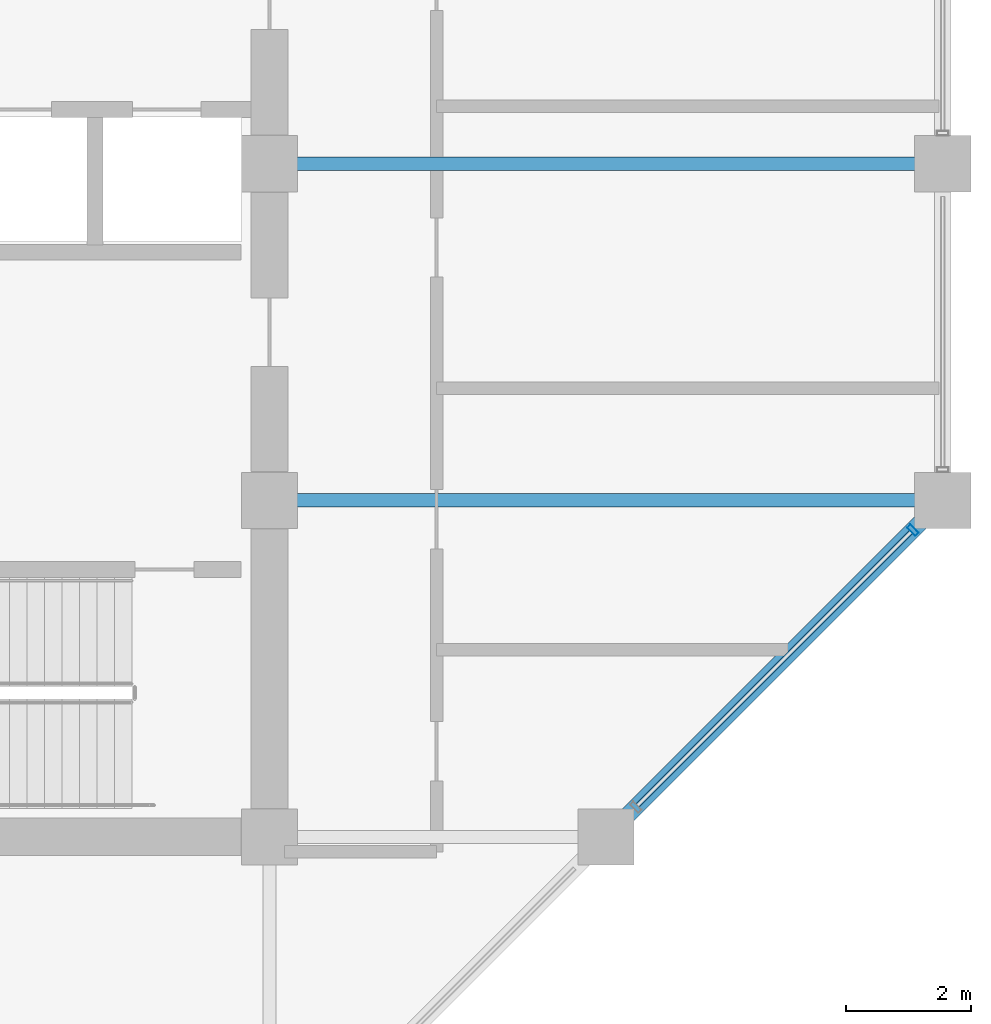
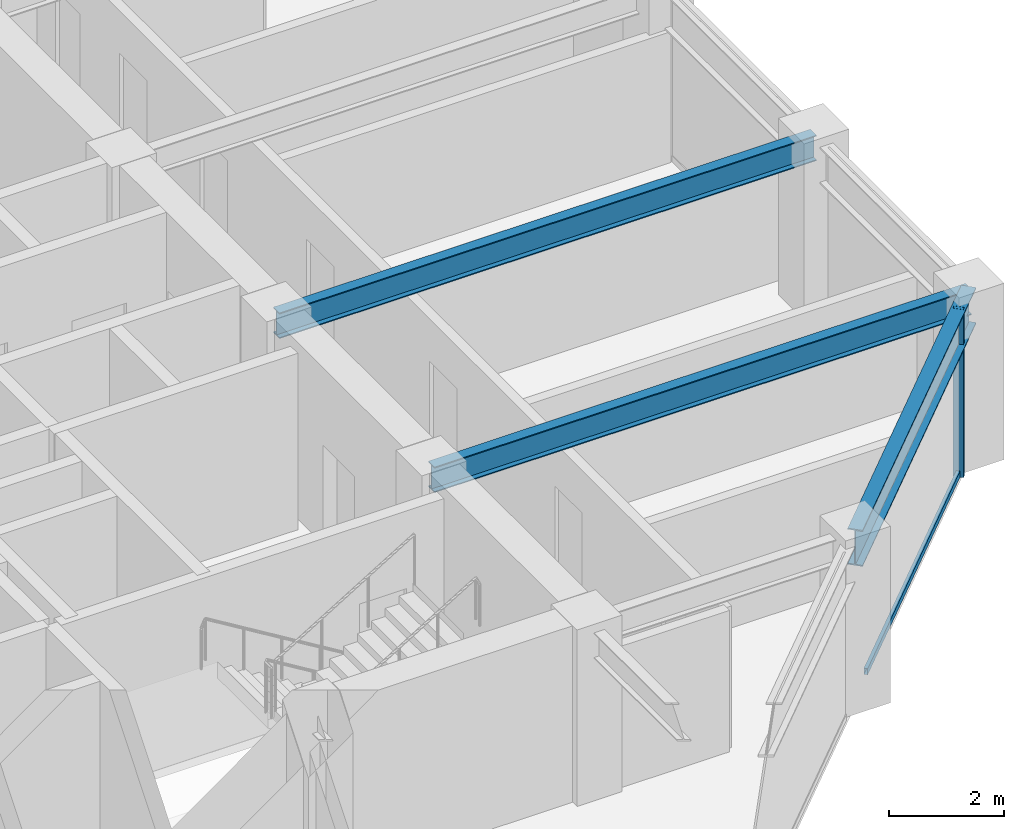
# One storey, part 13 of 32: 3 beams, 2 members, 1 element without a shape of its own.
"""IFC4 building model written with IfcOpenShell, lengths in metres."""

from ifc_helpers import new_model, si_unit, direction, frame, origin, origin_2d, place, context, subcontext, project, spatial, hollow_rectangle, i_section, extrude, material, layer, layer_set, material_profile, profile_set, type_object, element, aggregate, save


model = new_model("IFC4")

# Units and contexts
model_context = context("Model", 3, precision=1e-05, world=origin(), true_north=direction((0.0, 1.0)))
body_context = subcontext(model_context, "Body", "Model", "MODEL_VIEW")
ifc_project = project(units=[si_unit("LENGTHUNIT", "METRE"), si_unit("AREAUNIT", "SQUARE_METRE"), si_unit("VOLUMEUNIT", "CUBIC_METRE"), si_unit("PLANEANGLEUNIT", "RADIAN"), si_unit("MASSUNIT", "GRAM", prefix="KILO")], contexts=[model_context])

# Site, building, storey
site_placement = place(None, origin())
site = spatial("IfcSite", under=ifc_project, at=site_placement, CompositionType="ELEMENT")
building_placement = place(site_placement, origin())
building = spatial("IfcBuilding", under=site, at=building_placement, Name="Surkhivell Harbour Commons", CompositionType="ELEMENT")
storey_placement = place(building_placement, frame((0.0, 0.0, 212.25)))
storey = spatial("IfcBuildingStorey", under=building, at=storey_placement, Name="L55", CompositionType="ELEMENT", Elevation=212.25)

# Beams
ifc_material_1 = material(Name="Steel S355", Category="steel")
ifc_material_profile_1 = material_profile(ifc_material_1, i_section(OverallWidth=0.2119140625, OverallDepth=0.5439453125, WebThickness=0.0126953125, FlangeThickness=0.021240234375, at=origin_2d()), Name="UB533x210x122")
ifc_profile_set_1 = profile_set([ifc_material_profile_1], Name="Steel S355")
beam_type_1 = type_object("IfcBeamType", Name="BM-GRD-533A", PredefinedType="BEAM", material=ifc_profile_set_1)
for number, where, z_axis, x_axis, name in (
    (1, (10.800048828125, -5.39990234375, 3.298095703125), (1.0, 0.0, 0.0), (0.0, 1.0, 0.0), "L55 Floor Girder (10.8,-5.4)"),
    (2, (10.800048828125, 0.0, 3.298095703125), (1.0, 0.0, 0.0), (0.0, 1.0, 0.0), "L55 Floor Girder (10.8,0.0)"),
):
    element("IfcBeam", number, at=place(storey_placement, frame(where, z_axis=z_axis, x_axis=x_axis)), inside=storey, type_object=beam_type_1, Name=name, PredefinedType="BEAM", context=body_context, shape_type="SweptSolid", body=[
        extrude(i_section(OverallWidth=0.2119140625, OverallDepth=0.5439453125, WebThickness=0.0126953125, FlangeThickness=0.021240234375, at=origin_2d()), origin(), (0.0, 0.0, 1.0), 10.800048828125),
    ])
ifc_material_profile_2 = material_profile(ifc_material_1, i_section(OverallWidth=0.26806640625, OverallDepth=0.77001953125, WebThickness=0.015625, FlangeThickness=0.025390625, at=origin_2d()), Name="UB762x267x197")
ifc_profile_set_2 = profile_set([ifc_material_profile_2], Name="Steel S355")
beam_type_2 = type_object("IfcBeamType", Name="BM-SPN-762", PredefinedType="SPANDREL", material=ifc_profile_set_2)
beam_placement = place(storey_placement, frame((16.199951171875, -10.800048828125, 3.18505859375), z_axis=(0.707106781187, 0.707106781187, 0.0), x_axis=(-0.707106781187, 0.707106781187, 0.0)))
element("IfcBeam", 3, at=beam_placement, inside=storey, type_object=beam_type_2, Name="L55 Tube Spandrel (16.2,-10.8)", PredefinedType="SPANDREL", context=body_context, shape_type="SweptSolid", body=[
    extrude(i_section(OverallWidth=0.26806640625, OverallDepth=0.77001953125, WebThickness=0.015625, FlangeThickness=0.025390625, at=origin_2d()), origin(), (0.0, 0.0, 1.0), 7.636962890625),
])

# Curtain wall, members
ifc_material_2 = material(Name="Anodised pale-metal aluminium and insulated glazing", Category="aluminium")
ifc_layer = layer(ifc_material_2, 0.18994140625)
ifc_layer_set = layer_set([ifc_layer], Name="Anodised pale-metal aluminium and insulated glazing")
curtain_wall_type = type_object("IfcCurtainWallType", Name="CW-SYS-Z3", PredefinedType="NOTDEFINED", material=ifc_layer_set)
curtain_wall_placement = place(storey_placement, origin())
curtain_wall = element("IfcCurtainWall", 4, at=curtain_wall_placement, inside=storey, type_object=curtain_wall_type, Name="L55 Curtain Wall CW-L55-E01", PredefinedType="NOTDEFINED")
ifc_material_3 = material(Name="Anodised pale-metal aluminium alloy 6063-T6", Category="aluminium")
ifc_material_profile_3 = material_profile(ifc_material_3, hollow_rectangle(XDim=0.074951171875, YDim=0.18994140625, WallThickness=0.00390625, at=origin_2d()), Name="ALU-MULL-75x190")
ifc_profile_set_3 = profile_set([ifc_material_profile_3], Name="Anodised pale-metal aluminium alloy 6063-T6")
member_type_1 = type_object("IfcMemberType", Name="CWM-190", PredefinedType="MULLION", material=ifc_profile_set_3)
member_1_placement = place(storey_placement, frame((21.121826171875, -5.878173828125, 0.0), z_axis=(0.0, 0.0, 1.0), x_axis=(0.707106781187, 0.707106781187, 0.0)))
member_1 = element("IfcMember", 5, at=member_1_placement, type_object=member_type_1, Name="CW-Z3 mullion 4", PredefinedType="MULLION", context=body_context, shape_type="SweptSolid", body=[
    extrude(hollow_rectangle(XDim=0.074951171875, YDim=0.18994140625, WallThickness=0.00390625, at=origin_2d()), origin(), (0.0, 0.0, 1.0), 3.570068359375),
])
ifc_material_4 = material(Name="Champagne anodised aluminium alloy 6063-T6", Category="aluminium")
ifc_material_profile_4 = material_profile(ifc_material_4, hollow_rectangle(XDim=0.070068359375, YDim=0.1298828125, WallThickness=0.00341796875, at=origin_2d()), Name="ALU-TRAN-70x130")
ifc_profile_set_4 = profile_set([ifc_material_profile_4], Name="Champagne anodised aluminium alloy 6063-T6")
member_type_2 = type_object("IfcMemberType", Name="CWT-130", PredefinedType="USERDEFINED", material=ifc_profile_set_4)
member_2_placement = place(storey_placement, frame((16.70458984375, -10.29541015625, 0.06494140625), z_axis=(0.707106781187, 0.707106781187, 0.0), x_axis=(-0.707106781187, 0.707106781187, 0.0)))
member_2 = element("IfcMember", 6, at=member_2_placement, type_object=member_type_2, Name="CW-Z3 transom 3.1", ObjectType="TRANSOM", PredefinedType="USERDEFINED", context=body_context, shape_type="SweptSolid", body=[
    extrude(hollow_rectangle(XDim=0.070068359375, YDim=0.1298828125, WallThickness=0.00341796875, at=origin_2d()), origin(), (0.0, 0.0, 1.0), 6.209228515625),
])
aggregate(curtain_wall, [member_1, member_2])

save(model, "model.ifc")
